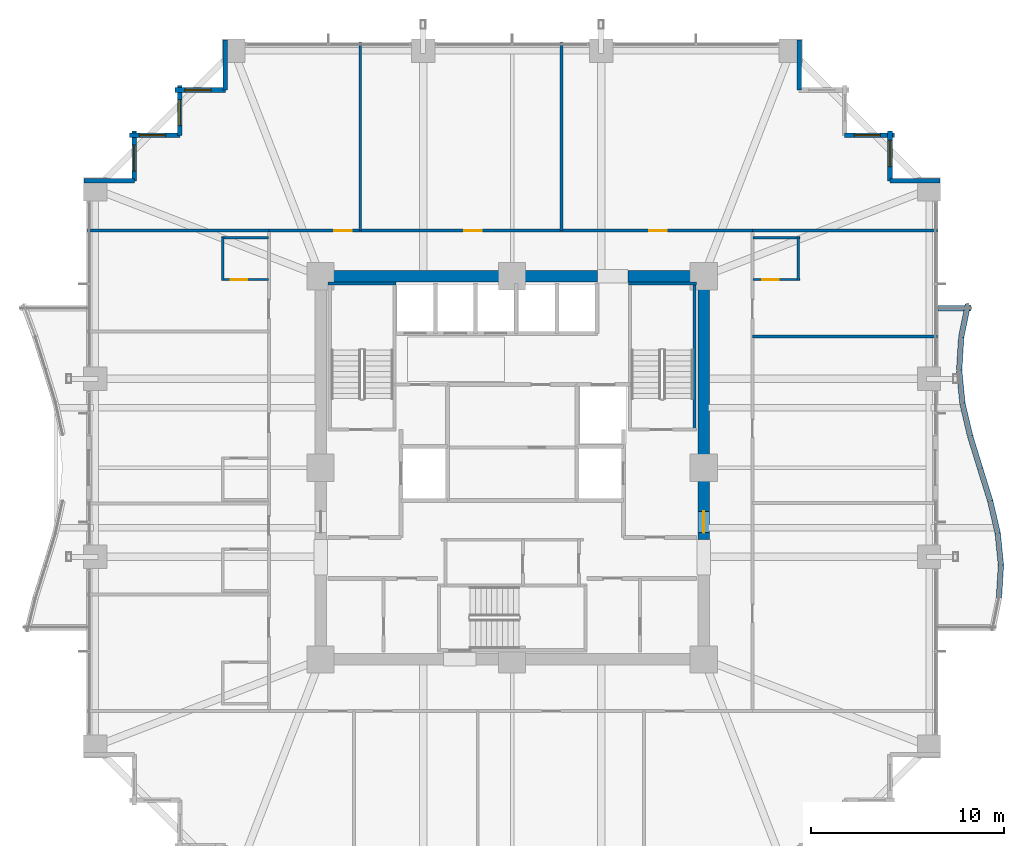
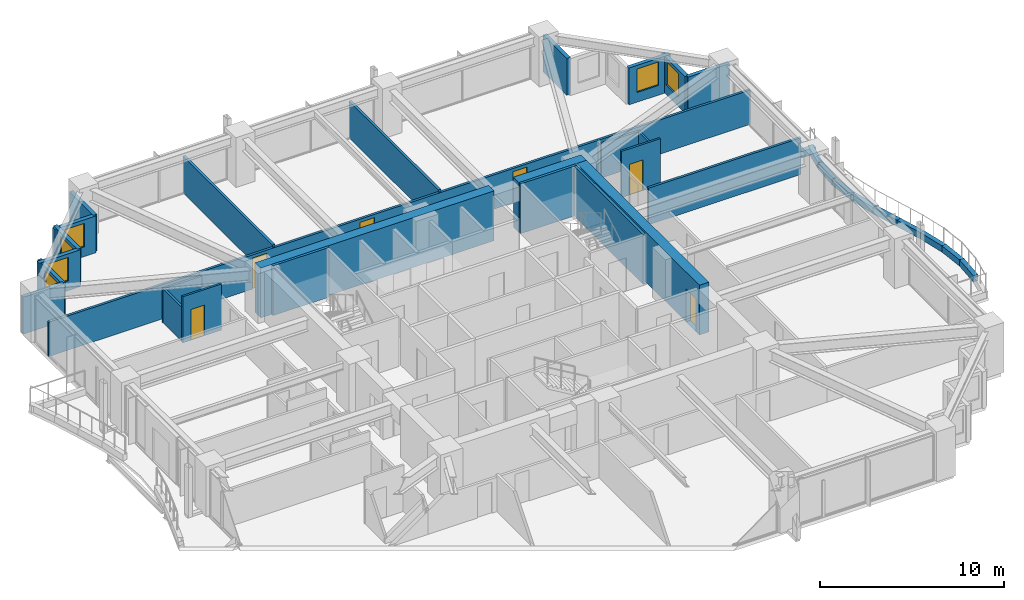
# One storey, part 33 of 36: 38 walls, 6 doors, 6 windows, 12 openings.
"""IFC4 building model written with IfcOpenShell, lengths in metres."""

import ifcopenshell
import ifcopenshell.guid

model = None  # the IFC model being written
_history = None  # IfcOwnerHistory: only IFC2X3 demands one
_inside = {}  # id of a spatial element -> (the spatial element, [elements in it])
_under = {}  # id of a project, library or spatial element -> (it, [spatial elements below it])
_declared = {}  # id of a project -> (the project, [libraries it declares])
_typed = {}  # id of a type object -> (the type object, [elements of that type])
_made_of = {}  # id of a material, layer set ... -> (it, [elements and type objects made of it])


def new_model(schema):
    """Start an empty IFC model of exactly this schema.

    Asked for "IFC4X3", IfcOpenShell would pick the latest addendum, in which some entities
    have other attributes; the version numbers below select the first issue.
    IFC2X3 requires an IfcOwnerHistory on every rooted entity: one is made here for all.
    """
    global model, _history
    if schema == "IFC4X3":
        model = ifcopenshell.file(schema_version=(4, 3, 0, 0))
    else:
        model = ifcopenshell.file(schema=schema)
    _inside.clear()
    _under.clear()
    _declared.clear()
    _typed.clear()
    _made_of.clear()
    _history = None
    if model.schema == "IFC2X3":
        org = make("IfcOrganization", Name="unknown")
        user = make(
            "IfcPersonAndOrganization",
            ThePerson=make("IfcPerson", FamilyName="unknown"),
            TheOrganization=org,
        )
        app = make(
            "IfcApplication",
            ApplicationDeveloper=org,
            Version="unknown",
            ApplicationFullName="unknown",
            ApplicationIdentifier="unknown",
        )
        _history = make(
            "IfcOwnerHistory",
            OwningUser=user,
            OwningApplication=app,
            ChangeAction="ADDED",
            CreationDate=0,
        )
    return model


def make(cls, **values):
    """One entity of the class cls with the attributes given. An attribute that is None is left unset."""
    return model.create_entity(
        cls, **{name: value for name, value in values.items() if value is not None}
    )


def rooted(cls, **values):
    """An entity with a GlobalId (a new one), such as an element, a storey or a relation."""
    return make(cls, GlobalId=ifcopenshell.guid.new(), OwnerHistory=_history, **values)


def si_unit(unit_type, name, prefix=None):
    """IfcSIUnit, for example si_unit("LENGTHUNIT", "METRE", prefix="MILLI")."""
    return make("IfcSIUnit", UnitType=unit_type, Prefix=prefix, Name=name)


def assignment(units):
    """IfcUnitAssignment: the units of a project."""
    return None if units is None else make("IfcUnitAssignment", Units=units)


def point(xyz):
    """IfcCartesianPoint."""
    return None if xyz is None else make("IfcCartesianPoint", Coordinates=xyz)


def direction(xyz):
    """IfcDirection."""
    return None if xyz is None else make("IfcDirection", DirectionRatios=xyz)


def frame(location, z_axis=None, x_axis=None):
    """IfcAxis2Placement3D, a coordinate frame: its origin and axes. An axis left out is left unset."""
    return make(
        "IfcAxis2Placement3D",
        Location=point(location),
        Axis=direction(z_axis),
        RefDirection=direction(x_axis),
    )


def frame_2d(location, x_axis=None):
    """IfcAxis2Placement2D, a coordinate frame in the plane: its origin and x axis."""
    return make(
        "IfcAxis2Placement2D", Location=point(location), RefDirection=direction(x_axis)
    )


def origin():
    """The frame at (0, 0, 0) with its axes left unset."""
    return frame((0.0, 0.0, 0.0))


def place(relative_to, where):
    """IfcLocalPlacement: puts the frame where relative to a parent placement (None: the world)."""
    return make(
        "IfcLocalPlacement", PlacementRelTo=relative_to, RelativePlacement=where
    )


def context(
    kind, dimensions, precision=None, world=None, true_north=None, identifier=None
):
    """IfcGeometricRepresentationContext, for example the 3D "Model" context."""
    return make(
        "IfcGeometricRepresentationContext",
        ContextIdentifier=identifier,
        ContextType=kind,
        CoordinateSpaceDimension=dimensions,
        Precision=precision,
        WorldCoordinateSystem=world,
        TrueNorth=true_north,
    )


def subcontext(parent, identifier, kind, view, scale=None):
    """IfcGeometricRepresentationSubContext, for example "Body" below "Model"."""
    return make(
        "IfcGeometricRepresentationSubContext",
        ContextIdentifier=identifier,
        ContextType=kind,
        ParentContext=parent,
        TargetScale=scale,
        TargetView=view,
    )


def project(units=None, contexts=None):
    """IfcProject with its units and contexts."""
    return rooted(
        "IfcProject",
        Name="project",
        RepresentationContexts=contexts,
        UnitsInContext=assignment(units),
    )


def spatial(cls, under=None, at=None, **own):
    """A site, building, storey or space (cls), placed at a placement, below another one or the project."""
    s = rooted(cls, ObjectPlacement=at, **own)
    if under is not None:
        _under.setdefault(under.id(), (under, []))[1].append(s)
    return s


def profile(cls, at=None, kind="AREA", **sizes):
    """A parametric profile (cls). Its sizes go by their IFC names, for example OverallWidth=200.0."""
    return make(cls, ProfileType=kind, Position=at, **sizes)


def rectangle(**sizes):
    """IfcRectangleProfileDef."""
    return profile("IfcRectangleProfileDef", **sizes)


def extrude(swept, where, along, depth):
    """IfcExtrudedAreaSolid: the profile swept, set in the frame where, extruded along a direction by depth."""
    return make(
        "IfcExtrudedAreaSolid",
        SweptArea=swept,
        Position=where,
        ExtrudedDirection=direction(along),
        Depth=depth,
    )


def shape(context_of_items, identifier, shape_type, items):
    """IfcShapeRepresentation: the items that make up one representation, for example the "Body"."""
    return make(
        "IfcShapeRepresentation",
        ContextOfItems=context_of_items,
        RepresentationIdentifier=identifier,
        RepresentationType=shape_type,
        Items=items,
    )


def material(Name=None, Category=None):
    """IfcMaterial."""
    return make("IfcMaterial", Name=Name, Category=Category)


def layer(
    of_material, thickness, ventilated=None, Name=None, Category=None, Priority=None
):
    """IfcMaterialLayer: one layer of a wall or slab, of a material (None: an air gap)."""
    return make(
        "IfcMaterialLayer",
        Material=of_material,
        LayerThickness=thickness,
        IsVentilated=ventilated,
        Name=Name,
        Category=Category,
        Priority=Priority,
    )


def layer_set(layers, Name=None):
    """IfcMaterialLayerSet."""
    return make("IfcMaterialLayerSet", MaterialLayers=layers, LayerSetName=Name)


def made_of(thing, what):
    """Note that an element or type object is made of a material, layer set ...; save() writes the relation."""
    if what is not None:
        _made_of.setdefault(what.id(), (what, []))[1].append(thing)
    return thing


def type_object(cls, material=None, **own):
    """A type object (cls), such as IfcWallType, which elements share."""
    return made_of(rooted(cls, **own), material)


def element(
    cls,
    number,
    at=None,
    inside=None,
    cuts=None,
    type_object=None,
    material=None,
    context=None,
    identifier="Body",
    shape_type=None,
    held_by="IfcProductDefinitionShape",
    body=None,
    shapes=None,
    **own,
):
    """One element of the class cls, such as IfcWall. Its Tag is "e" and its number.

    at: its placement. inside: the storey or other place that contains it. cuts: it is an
    opening in that element (IfcRelVoidsElement). A single representation is given by context,
    identifier, shape_type and body (its items); several are given by shapes. held_by: the class
    of the entity that holds the representations. save() writes the other relations.
    """
    e = rooted(cls, Tag="e%d" % number, ObjectPlacement=at, **own)
    if body is not None:
        shapes = [shape(context, identifier, shape_type, body)]
    if shapes is not None:
        e.Representation = make(held_by, Representations=shapes)
    if inside is not None:
        _inside.setdefault(inside.id(), (inside, []))[1].append(e)
    if cuts is not None:
        rooted(
            "IfcRelVoidsElement", RelatingBuildingElement=cuts, RelatedOpeningElement=e
        )
    if type_object is not None:
        _typed.setdefault(type_object.id(), (type_object, []))[1].append(e)
    return made_of(e, material)


def fill(opening, filler):
    """IfcRelFillsElement: the door or window that sits in an opening."""
    return rooted(
        "IfcRelFillsElement",
        RelatingOpeningElement=opening,
        RelatedBuildingElement=filler,
    )


def aggregate(whole, parts):
    """IfcRelAggregates: a whole, such as a stair, and the parts it consists of."""
    return rooted("IfcRelAggregates", RelatingObject=whole, RelatedObjects=parts)


def save(model, path):
    """Write the relations noted so far, then the file.

    IfcRelAggregates (storeys below a building ...), IfcRelContainedInSpatialStructure (elements
    in a storey), IfcRelDefinesByType, IfcRelAssociatesMaterial and IfcRelDeclares: one each for
    every whole, place, type object, material and project.
    """
    for whole, parts in _under.values():
        aggregate(whole, parts)
    for where, things in _inside.values():
        rooted(
            "IfcRelContainedInSpatialStructure",
            RelatedElements=things,
            RelatingStructure=where,
        )
    for kind, things in _typed.values():
        rooted("IfcRelDefinesByType", RelatedObjects=things, RelatingType=kind)
    for what, things in _made_of.values():
        rooted("IfcRelAssociatesMaterial", RelatedObjects=things, RelatingMaterial=what)
    for by, libraries in _declared.values():
        rooted("IfcRelDeclares", RelatingContext=by, RelatedDefinitions=libraries)
    model.write(path)


model = new_model("IFC4")

# Units and contexts
model_context = context("Model", 3, precision=1e-05, world=origin(), true_north=direction((0.0, 1.0)))
body_context = subcontext(model_context, "Body", "Model", "MODEL_VIEW")
ifc_project = project(units=[si_unit("LENGTHUNIT", "METRE"), si_unit("AREAUNIT", "SQUARE_METRE"), si_unit("VOLUMEUNIT", "CUBIC_METRE"), si_unit("PLANEANGLEUNIT", "RADIAN"), si_unit("MASSUNIT", "GRAM", prefix="KILO")], contexts=[model_context])

# Site, building, storey
site_placement = place(None, origin())
site = spatial("IfcSite", under=ifc_project, at=site_placement, CompositionType="ELEMENT")
building_placement = place(site_placement, origin())
building = spatial("IfcBuilding", under=site, at=building_placement, Name="Kolvaren Belvedere", CompositionType="ELEMENT")
storey_placement = place(building_placement, frame((0.0, 0.0, 46.89990234375)))
storey = spatial("IfcBuildingStorey", under=building, at=storey_placement, Name="L13", CompositionType="ELEMENT", Elevation=46.89990234375)

# Walls
ifc_material_1 = material(Name="Concrete C60/75", Category="concrete")
ifc_layer_1 = layer(ifc_material_1, 0.60009765625)
ifc_layer_set_1 = layer_set([ifc_layer_1], Name="Concrete C60/75")
wall_type_1 = type_object("IfcWallType", Name="CW-CORE-600", PredefinedType="SHEAR", material=ifc_layer_set_1)
wall_1_placement = place(storey_placement, frame((-10.199951171875, 9.89990234375, 0.0), z_axis=(0.0, 0.0, 1.0), x_axis=(1.0, 0.0, 0.0)))
element("IfcWall", 1, at=wall_1_placement, inside=storey, type_object=wall_type_1, Name="L13 North Core Shear Wall 1", PredefinedType="SHEAR", context=body_context, shape_type="SweptSolid", body=[
    extrude(rectangle(XDim=14.619873046875, YDim=0.60009765625, at=frame_2d((7.31005859375, 0.0))), origin(), (0.0, 0.0, 1.0), 3.300048828125),
])
wall_2_placement = place(storey_placement, frame((5.97998046875, 9.89990234375, 0.0), z_axis=(0.0, 0.0, 1.0), x_axis=(1.0, 0.0, 0.0)))
element("IfcWall", 2, at=wall_2_placement, inside=storey, type_object=wall_type_1, Name="L13 North Core Shear Wall 2", PredefinedType="SHEAR", context=body_context, shape_type="SweptSolid", body=[
    extrude(rectangle(XDim=4.219970703125, YDim=0.60009765625, at=frame_2d((2.10986328125, 0.0))), origin(), (0.0, 0.0, 1.0), 3.300048828125),
])

# Wall, opening, door
wall_3_placement = place(storey_placement, frame((9.89990234375, -3.699951171875, 0.0), z_axis=(0.0, 0.0, 1.0), x_axis=(0.0, 1.0, 0.0)))
wall_3 = element("IfcWall", 3, at=wall_3_placement, inside=storey, type_object=wall_type_1, Name="L13 East Core Shear Wall 2", PredefinedType="SHEAR", context=body_context, shape_type="SweptSolid", body=[
    extrude(rectangle(XDim=13.300048828125, YDim=0.60009765625, at=frame_2d((6.64990234375, 0.0))), origin(), (0.0, 0.0, 1.0), 3.300048828125),
])
opening_1_placement = place(wall_3_placement, frame((0.35009765625, 0.0, 0.0)))
opening_1 = element("IfcOpeningElement", 4, at=opening_1_placement, cuts=wall_3, Name="Opening D-FD90", PredefinedType="OPENING", context=body_context, shape_type="SweptSolid", body=[
    extrude(rectangle(XDim=1.10009765625, YDim=2.199951171875, at=frame_2d((0.550048828125, 1.10009765625))), frame((0.0, 0.31005859375, 0.0), z_axis=(0.0, -1.0, 0.0), x_axis=(1.0, 0.0, 0.0)), (0.0, 0.0, 1.0), 0.6201171875),
])
ifc_material_2 = material(Name="Painted hollow stainless steel", Category="steel")
door_type_1 = type_object("IfcDoorType", Name="DR-FD90-1100", OperationType="NOTDEFINED", PredefinedType="DOOR", material=ifc_material_2)
door_1_placement = place(opening_1_placement, origin())
door_1 = element("IfcDoor", 5, at=door_1_placement, inside=storey, type_object=door_type_1, Name="L13 East Firefighting Lobby Fire Door", OperationType="SINGLE_SWING_RIGHT", OverallHeight=2.199951171875, OverallWidth=1.10009765625, PredefinedType="DOOR", context=body_context, shape_type="SweptSolid", body=[
    extrude(rectangle(XDim=1.10009765625, YDim=2.199951171875, at=frame_2d((0.550048828125, 1.10009765625))), frame((0.0, 0.02490234375, 0.0), z_axis=(0.0, -1.0, 0.0), x_axis=(1.0, 0.0, 0.0)), (0.0, 0.0, 1.0), 0.050048828125),
])
fill(opening_1, door_1)

# Walls
ifc_material_3 = material(Name="Concrete C50/60", Category="concrete")
ifc_layer_2 = layer(ifc_material_3, 0.159912109375)
ifc_layer_set_2 = layer_set([ifc_layer_2], Name="Concrete C50/60")
wall_type_2 = type_object("IfcWallType", Name="CW-STAIR-160", PredefinedType="SHEAR", material=ifc_layer_set_2)
for number, where, z_axis, x_axis, name in (
    (6, (-9.52001953125, 9.530029296875, 0.0), (0.0, 0.0, 1.0), (1.0, 0.0, 0.0), "L13 Stair ST-1 North Shear Wall"),
    (7, (6.0, 9.530029296875, 0.0), (0.0, 0.0, 1.0), (1.0, 0.0, 0.0), "L13 Stair ST-2 North Shear Wall"),
):
    element("IfcWall", number, at=place(storey_placement, frame(where, z_axis=z_axis, x_axis=x_axis)), inside=storey, type_object=wall_type_2, Name=name, PredefinedType="SHEAR", context=body_context, shape_type="SweptSolid", body=[
        extrude(rectangle(XDim=3.52001953125, YDim=0.159912109375, at=frame_2d((1.760009765625, 0.0))), origin(), (0.0, 0.0, 1.0), 3.300048828125),
    ])
wall_4_placement = place(storey_placement, frame((9.429931640625, 1.969970703125, 0.0), z_axis=(0.0, 0.0, 1.0), x_axis=(0.0, 1.0, 0.0)))
element("IfcWall", 8, at=wall_4_placement, inside=storey, type_object=wall_type_2, Name="L13 Stair ST-2 East Shear Wall", PredefinedType="SHEAR", context=body_context, shape_type="SweptSolid", body=[
    extrude(rectangle(XDim=7.56005859375, YDim=0.159912109375, at=frame_2d((3.780029296875, 0.0))), origin(), (0.0, 0.0, 1.0), 3.300048828125),
])

# Wall, openings, doors
ifc_material_4 = material(Name="Gypsum fire-rated partition assembly", Category="gypsum")
ifc_layer_3 = layer(ifc_material_4, 0.14990234375)
ifc_layer_set_3 = layer_set([ifc_layer_3], Name="Gypsum fire-rated partition assembly")
wall_type_3 = type_object("IfcWallType", Name="WL-CORR-150", PredefinedType="PARTITIONING", material=ifc_layer_set_3)
wall_5_placement = place(storey_placement, frame((-12.580078125, 12.260009765625, 0.0), z_axis=(0.0, 0.0, 1.0), x_axis=(1.0, 0.0, 0.0)))
wall_5 = element("IfcWall", 9, at=wall_5_placement, inside=storey, type_object=wall_type_3, Name="L13 North Corridor Wall", PredefinedType="PARTITIONING", context=body_context, shape_type="SweptSolid", body=[
    extrude(rectangle(XDim=25.0, YDim=0.14990234375, at=frame_2d((12.5, 0.0))), origin(), (0.0, 0.0, 1.0), 2.272216796875),
])
opening_2_placement = place(wall_5_placement, frame((3.37890625, 0.0, 0.0)))
opening_2 = element("IfcOpeningElement", 10, at=opening_2_placement, cuts=wall_5, Name="Opening D-INT90", PredefinedType="OPENING", context=body_context, shape_type="SweptSolid", body=[
    extrude(rectangle(XDim=0.89990234375, YDim=2.06005859375, at=frame_2d((0.449951171875, 1.030029296875))), frame((0.0, 0.0849609375, 0.0), z_axis=(0.0, -1.0, 0.0), x_axis=(1.0, 0.0, 0.0)), (0.0, 0.0, 1.0), 0.169921875),
])
opening_3_placement = place(wall_5_placement, frame((10.10009765625, 0.0, 0.0)))
opening_3 = element("IfcOpeningElement", 11, at=opening_3_placement, cuts=wall_5, Name="Opening D-INT90", PredefinedType="OPENING", context=body_context, shape_type="SweptSolid", body=[
    extrude(rectangle(XDim=0.89990234375, YDim=2.06005859375, at=frame_2d((0.449951171875, 1.030029296875))), frame((0.0, 0.0849609375, 0.0), z_axis=(0.0, -1.0, 0.0), x_axis=(1.0, 0.0, 0.0)), (0.0, 0.0, 1.0), 0.169921875),
])
opening_4_placement = place(wall_5_placement, frame((19.6650390625, 0.0, 0.0)))
opening_4 = element("IfcOpeningElement", 12, at=opening_4_placement, cuts=wall_5, Name="Opening D-INT90", PredefinedType="OPENING", context=body_context, shape_type="SweptSolid", body=[
    extrude(rectangle(XDim=0.89990234375, YDim=2.06005859375, at=frame_2d((0.449951171875, 1.030029296875))), frame((0.0, 0.0849609375, 0.0), z_axis=(0.0, -1.0, 0.0), x_axis=(1.0, 0.0, 0.0)), (0.0, 0.0, 1.0), 0.169921875),
])
ifc_material_5 = material(Name="Stained Pacific white oak", Category="timber")
door_type_2 = type_object("IfcDoorType", Name="DR-INT-900", OperationType="NOTDEFINED", PredefinedType="DOOR", material=ifc_material_5)
door_2_placement = place(opening_2_placement, origin())
door_2 = element("IfcDoor", 13, at=door_2_placement, inside=storey, type_object=door_type_2, Name="L13 Lounge 1312 Door", OperationType="SINGLE_SWING_LEFT", OverallHeight=2.06005859375, OverallWidth=0.89990234375, PredefinedType="DOOR", context=body_context, shape_type="SweptSolid", body=[
    extrude(rectangle(XDim=0.89990234375, YDim=2.06005859375, at=frame_2d((0.449951171875, 1.030029296875))), frame((0.0, 0.02490234375, 0.0), z_axis=(0.0, -1.0, 0.0), x_axis=(1.0, 0.0, 0.0)), (0.0, 0.0, 1.0), 0.050048828125),
])
fill(opening_2, door_2)
door_3_placement = place(opening_3_placement, origin())
door_3 = element("IfcDoor", 14, at=door_3_placement, inside=storey, type_object=door_type_2, Name="L13 Lounge 1313 Door", OperationType="SINGLE_SWING_RIGHT", OverallHeight=2.06005859375, OverallWidth=0.89990234375, PredefinedType="DOOR", context=body_context, shape_type="SweptSolid", body=[
    extrude(rectangle(XDim=0.89990234375, YDim=2.06005859375, at=frame_2d((0.449951171875, 1.030029296875))), frame((0.0, 0.02490234375, 0.0), z_axis=(0.0, -1.0, 0.0), x_axis=(1.0, 0.0, 0.0)), (0.0, 0.0, 1.0), 0.050048828125),
])
fill(opening_3, door_3)
door_4_placement = place(opening_4_placement, origin())
door_4 = element("IfcDoor", 15, at=door_4_placement, inside=storey, type_object=door_type_2, Name="L13 Lounge 1314 Door", OperationType="SINGLE_SWING_LEFT", OverallHeight=2.06005859375, OverallWidth=0.89990234375, PredefinedType="DOOR", context=body_context, shape_type="SweptSolid", body=[
    extrude(rectangle(XDim=0.89990234375, YDim=2.06005859375, at=frame_2d((0.449951171875, 1.030029296875))), frame((0.0, 0.02490234375, 0.0), z_axis=(0.0, -1.0, 0.0), x_axis=(1.0, 0.0, 0.0)), (0.0, 0.0, 1.0), 0.050048828125),
])
fill(opening_4, door_4)

# Wall
ifc_material_6 = material(Name="Insulated pale-metal facade wall assembly", Category="aluminium")
ifc_layer_4 = layer(ifc_material_6, 0.239990234375)
ifc_layer_set_4 = layer_set([ifc_layer_4], Name="Insulated pale-metal facade wall assembly")
wall_type_4 = type_object("IfcWallType", Name="WL-EXT-240", PredefinedType="STANDARD", material=ifc_layer_set_4)
wall_6_placement = place(storey_placement, frame((19.530029296875, 14.830078125, 0.0), z_axis=(0.0, 0.0, 1.0), x_axis=(1.0, 0.0, 0.0)))
element("IfcWall", 16, at=wall_6_placement, inside=storey, type_object=wall_type_4, Name="L13 Serrated Corner Facade Wall 9", PredefinedType="STANDARD", context=body_context, shape_type="SweptSolid", body=[
    extrude(rectangle(XDim=2.590087890625, YDim=0.239990234375, at=frame_2d((1.294921875, 0.0))), origin(), (0.0, 0.0, 1.0), 2.439208984375),
])

# Wall, opening, window
wall_7_placement = place(storey_placement, frame((19.530029296875, 17.419921875, 0.0), z_axis=(0.0, 0.0, 1.0), x_axis=(0.0, -1.0, 0.0)))
wall_7 = element("IfcWall", 17, at=wall_7_placement, inside=storey, type_object=wall_type_4, Name="L13 Serrated Corner Facade Wall 10", PredefinedType="STANDARD", context=body_context, shape_type="SweptSolid", body=[
    extrude(rectangle(XDim=2.58984375, YDim=0.239990234375, at=frame_2d((1.294921875, 0.0))), origin(), (0.0, 0.0, 1.0), 2.439208984375),
])
opening_5_placement = place(wall_7_placement, frame((0.5, 0.0, 0.64990234375)))
opening_5 = element("IfcOpeningElement", 18, at=opening_5_placement, cuts=wall_7, Name="Opening W-1350", PredefinedType="OPENING", context=body_context, shape_type="SweptSolid", body=[
    extrude(rectangle(XDim=1.35009765625, YDim=1.550048828125, at=frame_2d((0.675048828125, 0.77490234375))), frame((0.0, 0.1298828125, 0.0), z_axis=(0.0, -1.0, 0.0), x_axis=(1.0, 0.0, 0.0)), (0.0, 0.0, 1.0), 0.260009765625),
])
ifc_material_7 = material(Name="Low-iron triple insulated glass", Category="glass")
window_type = type_object("IfcWindowType", Name="WN-CORN-1350", PartitioningType="SINGLE_PANEL", PredefinedType="WINDOW", material=ifc_material_7)
window_1_placement = place(opening_5_placement, origin())
window_1 = element("IfcWindow", 19, at=window_1_placement, inside=storey, type_object=window_type, Name="L13 Serrated Corner Vision Window 10", OverallHeight=1.550048828125, OverallWidth=1.35009765625, PartitioningType="SINGLE_PANEL", PredefinedType="WINDOW", context=body_context, shape_type="SweptSolid", body=[
    extrude(rectangle(XDim=1.35009765625, YDim=1.550048828125, at=frame_2d((0.675048828125, 0.77490234375))), frame((0.0, 0.030029296875, 0.0), z_axis=(0.0, -1.0, 0.0), x_axis=(1.0, 0.0, 0.0)), (0.0, 0.0, 1.0), 0.06005859375),
])
fill(opening_5, window_1)

wall_8_placement = place(storey_placement, frame((17.179931640625, 17.179931640625, 0.0), z_axis=(0.0, 0.0, 1.0), x_axis=(1.0, 0.0, 0.0)))
wall_8 = element("IfcWall", 20, at=wall_8_placement, inside=storey, type_object=wall_type_4, Name="L13 Serrated Corner Facade Wall 11", PredefinedType="STANDARD", context=body_context, shape_type="SweptSolid", body=[
    extrude(rectangle(XDim=2.590087890625, YDim=0.239990234375, at=frame_2d((1.294921875, 0.0))), origin(), (0.0, 0.0, 1.0), 2.439208984375),
])
opening_6_placement = place(wall_8_placement, frame((0.5, 0.0, 0.64990234375)))
opening_6 = element("IfcOpeningElement", 21, at=opening_6_placement, cuts=wall_8, Name="Opening W-1350", PredefinedType="OPENING", context=body_context, shape_type="SweptSolid", body=[
    extrude(rectangle(XDim=1.35009765625, YDim=1.550048828125, at=frame_2d((0.675048828125, 0.77490234375))), frame((0.0, 0.1298828125, 0.0), z_axis=(0.0, -1.0, 0.0), x_axis=(1.0, 0.0, 0.0)), (0.0, 0.0, 1.0), 0.260009765625),
])
window_2_placement = place(opening_6_placement, origin())
window_2 = element("IfcWindow", 22, at=window_2_placement, inside=storey, type_object=window_type, Name="L13 Serrated Corner Vision Window 11", OverallHeight=1.550048828125, OverallWidth=1.35009765625, PartitioningType="SINGLE_PANEL", PredefinedType="WINDOW", context=body_context, shape_type="SweptSolid", body=[
    extrude(rectangle(XDim=1.35009765625, YDim=1.550048828125, at=frame_2d((0.675048828125, 0.77490234375))), frame((0.0, 0.030029296875, 0.0), z_axis=(0.0, -1.0, 0.0), x_axis=(1.0, 0.0, 0.0)), (0.0, 0.0, 1.0), 0.06005859375),
])
fill(opening_6, window_2)

# Walls
for number, where, z_axis, x_axis, name in (
    (23, (14.830078125, 22.1201171875, 0.0), (0.0, 0.0, 1.0), (0.0, -1.0, 0.0), "L13 Serrated Corner Facade Wall 14"),
    (24, (-14.830078125, 19.530029296875, 0.0), (0.0, 0.0, 1.0), (0.0, 1.0, 0.0), "L13 Serrated Corner Facade Wall 16"),
):
    element("IfcWall", number, at=place(storey_placement, frame(where, z_axis=z_axis, x_axis=x_axis)), inside=storey, type_object=wall_type_4, Name=name, PredefinedType="STANDARD", context=body_context, shape_type="SweptSolid", body=[
        extrude(rectangle(XDim=2.590087890625, YDim=0.239990234375, at=frame_2d((1.294921875, 0.0))), origin(), (0.0, 0.0, 1.0), 2.439208984375),
    ])

# Wall, opening, window
wall_9_placement = place(storey_placement, frame((-17.419921875, 19.530029296875, 0.0), z_axis=(0.0, 0.0, 1.0), x_axis=(1.0, 0.0, 0.0)))
wall_9 = element("IfcWall", 25, at=wall_9_placement, inside=storey, type_object=wall_type_4, Name="L13 Serrated Corner Facade Wall 17", PredefinedType="STANDARD", context=body_context, shape_type="SweptSolid", body=[
    extrude(rectangle(XDim=2.58984375, YDim=0.239990234375, at=frame_2d((1.294921875, 0.0))), origin(), (0.0, 0.0, 1.0), 2.439208984375),
])
opening_7_placement = place(wall_9_placement, frame((0.5, 0.0, 0.64990234375)))
opening_7 = element("IfcOpeningElement", 26, at=opening_7_placement, cuts=wall_9, Name="Opening W-1350", PredefinedType="OPENING", context=body_context, shape_type="SweptSolid", body=[
    extrude(rectangle(XDim=1.35009765625, YDim=1.550048828125, at=frame_2d((0.675048828125, 0.77490234375))), frame((0.0, 0.1298828125, 0.0), z_axis=(0.0, -1.0, 0.0), x_axis=(1.0, 0.0, 0.0)), (0.0, 0.0, 1.0), 0.260009765625),
])
window_3_placement = place(opening_7_placement, origin())
window_3 = element("IfcWindow", 27, at=window_3_placement, inside=storey, type_object=window_type, Name="L13 Serrated Corner Vision Window 17", OverallHeight=1.550048828125, OverallWidth=1.35009765625, PartitioningType="SINGLE_PANEL", PredefinedType="WINDOW", context=body_context, shape_type="SweptSolid", body=[
    extrude(rectangle(XDim=1.35009765625, YDim=1.550048828125, at=frame_2d((0.675048828125, 0.77490234375))), frame((0.0, 0.030029296875, 0.0), z_axis=(0.0, -1.0, 0.0), x_axis=(1.0, 0.0, 0.0)), (0.0, 0.0, 1.0), 0.06005859375),
])
fill(opening_7, window_3)

wall_10_placement = place(storey_placement, frame((-17.179931640625, 17.179931640625, 0.0), z_axis=(0.0, 0.0, 1.0), x_axis=(0.0, 1.0, 0.0)))
wall_10 = element("IfcWall", 28, at=wall_10_placement, inside=storey, type_object=wall_type_4, Name="L13 Serrated Corner Facade Wall 18", PredefinedType="STANDARD", context=body_context, shape_type="SweptSolid", body=[
    extrude(rectangle(XDim=2.590087890625, YDim=0.239990234375, at=frame_2d((1.294921875, 0.0))), origin(), (0.0, 0.0, 1.0), 2.439208984375),
])
opening_8_placement = place(wall_10_placement, frame((0.5, 0.0, 0.64990234375)))
opening_8 = element("IfcOpeningElement", 29, at=opening_8_placement, cuts=wall_10, Name="Opening W-1350", PredefinedType="OPENING", context=body_context, shape_type="SweptSolid", body=[
    extrude(rectangle(XDim=1.35009765625, YDim=1.550048828125, at=frame_2d((0.675048828125, 0.77490234375))), frame((0.0, 0.1298828125, 0.0), z_axis=(0.0, -1.0, 0.0), x_axis=(1.0, 0.0, 0.0)), (0.0, 0.0, 1.0), 0.260009765625),
])
window_4_placement = place(opening_8_placement, origin())
window_4 = element("IfcWindow", 30, at=window_4_placement, inside=storey, type_object=window_type, Name="L13 Serrated Corner Vision Window 18", OverallHeight=1.550048828125, OverallWidth=1.35009765625, PartitioningType="SINGLE_PANEL", PredefinedType="WINDOW", context=body_context, shape_type="SweptSolid", body=[
    extrude(rectangle(XDim=1.35009765625, YDim=1.550048828125, at=frame_2d((0.675048828125, 0.77490234375))), frame((0.0, 0.030029296875, 0.0), z_axis=(0.0, -1.0, 0.0), x_axis=(1.0, 0.0, 0.0)), (0.0, 0.0, 1.0), 0.06005859375),
])
fill(opening_8, window_4)

wall_11_placement = place(storey_placement, frame((-19.77001953125, 17.179931640625, 0.0), z_axis=(0.0, 0.0, 1.0), x_axis=(1.0, 0.0, 0.0)))
wall_11 = element("IfcWall", 31, at=wall_11_placement, inside=storey, type_object=wall_type_4, Name="L13 Serrated Corner Facade Wall 19", PredefinedType="STANDARD", context=body_context, shape_type="SweptSolid", body=[
    extrude(rectangle(XDim=2.590087890625, YDim=0.239990234375, at=frame_2d((1.294921875, 0.0))), origin(), (0.0, 0.0, 1.0), 2.439208984375),
])
opening_9_placement = place(wall_11_placement, frame((0.5, 0.0, 0.64990234375)))
opening_9 = element("IfcOpeningElement", 32, at=opening_9_placement, cuts=wall_11, Name="Opening W-1350", PredefinedType="OPENING", context=body_context, shape_type="SweptSolid", body=[
    extrude(rectangle(XDim=1.35009765625, YDim=1.550048828125, at=frame_2d((0.675048828125, 0.77490234375))), frame((0.0, 0.1298828125, 0.0), z_axis=(0.0, -1.0, 0.0), x_axis=(1.0, 0.0, 0.0)), (0.0, 0.0, 1.0), 0.260009765625),
])
window_5_placement = place(opening_9_placement, origin())
window_5 = element("IfcWindow", 33, at=window_5_placement, inside=storey, type_object=window_type, Name="L13 Serrated Corner Vision Window 19", OverallHeight=1.550048828125, OverallWidth=1.35009765625, PartitioningType="SINGLE_PANEL", PredefinedType="WINDOW", context=body_context, shape_type="SweptSolid", body=[
    extrude(rectangle(XDim=1.35009765625, YDim=1.550048828125, at=frame_2d((0.675048828125, 0.77490234375))), frame((0.0, 0.030029296875, 0.0), z_axis=(0.0, -1.0, 0.0), x_axis=(1.0, 0.0, 0.0)), (0.0, 0.0, 1.0), 0.06005859375),
])
fill(opening_9, window_5)

wall_12_placement = place(storey_placement, frame((-19.530029296875, 14.830078125, 0.0), z_axis=(0.0, 0.0, 1.0), x_axis=(0.0, 1.0, 0.0)))
wall_12 = element("IfcWall", 34, at=wall_12_placement, inside=storey, type_object=wall_type_4, Name="L13 Serrated Corner Facade Wall 20", PredefinedType="STANDARD", context=body_context, shape_type="SweptSolid", body=[
    extrude(rectangle(XDim=2.58984375, YDim=0.239990234375, at=frame_2d((1.294921875, 0.0))), origin(), (0.0, 0.0, 1.0), 2.439208984375),
])
opening_10_placement = place(wall_12_placement, frame((0.5, 0.0, 0.64990234375)))
opening_10 = element("IfcOpeningElement", 35, at=opening_10_placement, cuts=wall_12, Name="Opening W-1350", PredefinedType="OPENING", context=body_context, shape_type="SweptSolid", body=[
    extrude(rectangle(XDim=1.35009765625, YDim=1.550048828125, at=frame_2d((0.675048828125, 0.77490234375))), frame((0.0, 0.1298828125, 0.0), z_axis=(0.0, -1.0, 0.0), x_axis=(1.0, 0.0, 0.0)), (0.0, 0.0, 1.0), 0.260009765625),
])
window_6_placement = place(opening_10_placement, origin())
window_6 = element("IfcWindow", 36, at=window_6_placement, inside=storey, type_object=window_type, Name="L13 Serrated Corner Vision Window 20", OverallHeight=1.550048828125, OverallWidth=1.35009765625, PartitioningType="SINGLE_PANEL", PredefinedType="WINDOW", context=body_context, shape_type="SweptSolid", body=[
    extrude(rectangle(XDim=1.35009765625, YDim=1.550048828125, at=frame_2d((0.675048828125, 0.77490234375))), frame((0.0, 0.030029296875, 0.0), z_axis=(0.0, -1.0, 0.0), x_axis=(1.0, 0.0, 0.0)), (0.0, 0.0, 1.0), 0.06005859375),
])
fill(opening_10, window_6)

# Walls
wall_13_placement = place(storey_placement, frame((-22.1201171875, 14.830078125, 0.0), z_axis=(0.0, 0.0, 1.0), x_axis=(1.0, 0.0, 0.0)))
element("IfcWall", 37, at=wall_13_placement, inside=storey, type_object=wall_type_4, Name="L13 Serrated Corner Facade Wall 21", PredefinedType="STANDARD", context=body_context, shape_type="SweptSolid", body=[
    extrude(rectangle(XDim=2.590087890625, YDim=0.239990234375, at=frame_2d((1.294921875, 0.0))), origin(), (0.0, 0.0, 1.0), 2.439208984375),
])
ifc_material_8 = material(Name="Gypsum acoustic partition assembly", Category="gypsum")
ifc_layer_5 = layer(ifc_material_8, 0.14990234375)
ifc_layer_set_5 = layer_set([ifc_layer_5], Name="Gypsum acoustic partition assembly")
wall_type_5 = type_object("IfcWallType", Name="WL-PART-150", PredefinedType="PARTITIONING", material=ifc_layer_set_5)
wall_14_placement = place(storey_placement, frame((-21.97998046875, 12.260009765625, 0.0), z_axis=(0.0, 0.0, 1.0), x_axis=(1.0, 0.0, 0.0)))
element("IfcWall", 38, at=wall_14_placement, inside=storey, type_object=wall_type_5, Name="L13 Wing Divider PW-L13-QNW", PredefinedType="PARTITIONING", context=body_context, shape_type="SweptSolid", body=[
    extrude(rectangle(XDim=9.39990234375, YDim=0.14990234375, at=frame_2d((4.699951171875, 0.0))), origin(), (0.0, 0.0, 1.0), 2.272216796875),
])
wall_15_placement = place(storey_placement, frame((12.419921875, 12.260009765625, 0.0), z_axis=(0.0, 0.0, 1.0), x_axis=(1.0, 0.0, 0.0)))
element("IfcWall", 39, at=wall_15_placement, inside=storey, type_object=wall_type_5, Name="L13 Wing Divider PW-L13-QNE", PredefinedType="PARTITIONING", context=body_context, shape_type="SweptSolid", body=[
    extrude(rectangle(XDim=9.56005859375, YDim=0.14990234375, at=frame_2d((4.780029296875, 0.0))), origin(), (0.0, 0.0, 1.0), 2.272216796875),
])
wall_16_placement = place(storey_placement, frame((12.419921875, 6.780029296875, 0.0), z_axis=(0.0, 0.0, 1.0), x_axis=(1.0, 0.0, 0.0)))
element("IfcWall", 40, at=wall_16_placement, inside=storey, type_object=wall_type_5, Name="L13 East Suite Demising Wall 2", PredefinedType="PARTITIONING", context=body_context, shape_type="SweptSolid", body=[
    extrude(rectangle(XDim=9.56005859375, YDim=0.14990234375, at=frame_2d((4.780029296875, 0.0))), origin(), (0.0, 0.0, 1.0), 2.42919921875),
])
for number, where, z_axis, x_axis, name in (
    (41, (-7.85205078125, 12.260009765625, 0.0), (0.0, 0.0, 1.0), (0.0, 1.0, 0.0), "L13 North Suite Demising Wall 1"),
    (42, (2.548095703125, 12.260009765625, 0.0), (0.0, 0.0, 1.0), (0.0, 1.0, 0.0), "L13 North Suite Demising Wall 2"),
):
    element("IfcWall", number, at=place(storey_placement, frame(where, z_axis=z_axis, x_axis=x_axis)), inside=storey, type_object=wall_type_5, Name=name, PredefinedType="PARTITIONING", context=body_context, shape_type="SweptSolid", body=[
        extrude(rectangle(XDim=9.719970703125, YDim=0.14990234375, at=frame_2d((4.85986328125, 0.0))), origin(), (0.0, 0.0, 1.0), 2.42919921875),
    ])
ifc_material_9 = material(Name="Precast concrete C40/50", Category="concrete")
ifc_layer_6 = layer(ifc_material_9, 0.300048828125)
ifc_layer_set_6 = layer_set([ifc_layer_6], Name="Precast concrete C40/50")
wall_type_6 = type_object("IfcWallType", Name="WL-PLANTER-300", PredefinedType="PARAPET", material=ifc_layer_set_6)
wall_17_placement = place(storey_placement, frame((25.157470703125, -6.710205078125, -0.059814453125), z_axis=(0.0, 0.0, 1.0), x_axis=(0.061068773295, 0.998133560666, 0.0)))
element("IfcWall", 43, at=wall_17_placement, inside=storey, type_object=wall_type_6, Name="L13 Precast Structural Planter Wall BAL-E-2", PredefinedType="PARAPET", context=body_context, shape_type="SweptSolid", body=[
    extrude(rectangle(XDim=1.68310546875, YDim=0.280029296875, at=frame_2d((0.841552734375, 0.0))), origin(), (0.0, 0.0, 1.0), 0.419921875),
])
wall_18_placement = place(storey_placement, frame((25.2607421875, -5.055908203125, -0.059814453125), z_axis=(0.0, 0.0, 1.0), x_axis=(-0.099489401517, 0.995038621856, 0.0)))
element("IfcWall", 44, at=wall_18_placement, inside=storey, type_object=wall_type_6, Name="L13 Precast Structural Planter Wall BAL-E-3", PredefinedType="PARAPET", context=body_context, shape_type="SweptSolid", body=[
    extrude(rectangle(XDim=1.688232421875, YDim=0.280029296875, at=frame_2d((0.84423828125, 0.0))), origin(), (0.0, 0.0, 1.0), 0.419921875),
])
wall_19_placement = place(storey_placement, frame((25.09619140625, -3.396240234375, -0.059814453125), z_axis=(0.0, 0.0, 1.0), x_axis=(-0.227019323824, 0.973890253884, 0.0)))
element("IfcWall", 45, at=wall_19_placement, inside=storey, type_object=wall_type_6, Name="L13 Precast Structural Planter Wall BAL-E-4", PredefinedType="PARAPET", context=body_context, shape_type="SweptSolid", body=[
    extrude(rectangle(XDim=1.724853515625, YDim=0.280029296875, at=frame_2d((0.8623046875, 0.0))), origin(), (0.0, 0.0, 1.0), 0.419921875),
])
wall_20_placement = place(storey_placement, frame((24.70751953125, -1.727294921875, -0.059814453125), z_axis=(0.0, 0.0, 1.0), x_axis=(-0.295831524561, 0.95524013163, 0.0)))
element("IfcWall", 46, at=wall_20_placement, inside=storey, type_object=wall_type_6, Name="L13 Precast Structural Planter Wall BAL-E-5", PredefinedType="PARAPET", context=body_context, shape_type="SweptSolid", body=[
    extrude(rectangle(XDim=1.758544921875, YDim=0.280029296875, at=frame_2d((0.87939453125, 0.0))), origin(), (0.0, 0.0, 1.0), 0.419921875),
])
wall_21_placement = place(storey_placement, frame((24.187255859375, -0.04736328125, -0.059814453125), z_axis=(0.0, 0.0, 1.0), x_axis=(-0.29579229954, 0.955252278476, 0.0)))
element("IfcWall", 47, at=wall_21_placement, inside=storey, type_object=wall_type_6, Name="L13 Precast Structural Planter Wall BAL-E-6", PredefinedType="PARAPET", context=body_context, shape_type="SweptSolid", body=[
    extrude(rectangle(XDim=1.7587890625, YDim=0.280029296875, at=frame_2d((0.87939453125, 0.0))), origin(), (0.0, 0.0, 1.0), 0.419921875),
])
wall_22_placement = place(storey_placement, frame((23.663818359375, 1.643798828125, -0.059814453125), z_axis=(0.0, 0.0, 1.0), x_axis=(-0.227019323824, 0.973890253884, 0.0)))
element("IfcWall", 48, at=wall_22_placement, inside=storey, type_object=wall_type_6, Name="L13 Precast Structural Planter Wall BAL-E-7", PredefinedType="PARAPET", context=body_context, shape_type="SweptSolid", body=[
    extrude(rectangle(XDim=1.724853515625, YDim=0.280029296875, at=frame_2d((0.8623046875, 0.0))), origin(), (0.0, 0.0, 1.0), 0.419921875),
])
wall_23_placement = place(storey_placement, frame((23.268798828125, 3.34423828125, -0.059814453125), z_axis=(0.0, 0.0, 1.0), x_axis=(-0.098329649867, 0.995153897624, 0.0)))
element("IfcWall", 49, at=wall_23_placement, inside=storey, type_object=wall_type_6, Name="L13 Precast Structural Planter Wall BAL-E-8", PredefinedType="PARAPET", context=body_context, shape_type="SweptSolid", body=[
    extrude(rectangle(XDim=1.6884765625, YDim=0.280029296875, at=frame_2d((0.84423828125, 0.0))), origin(), (0.0, 0.0, 1.0), 0.419921875),
])
wall_24_placement = place(storey_placement, frame((23.102294921875, 5.049560546875, -0.059814453125), z_axis=(0.0, 0.0, 1.0), x_axis=(0.059912527196, 0.998203631072, 0.0)))
element("IfcWall", 50, at=wall_24_placement, inside=storey, type_object=wall_type_6, Name="L13 Precast Structural Planter Wall BAL-E-9", PredefinedType="PARAPET", context=body_context, shape_type="SweptSolid", body=[
    extrude(rectangle(XDim=1.682861328125, YDim=0.280029296875, at=frame_2d((0.84130859375, 0.0))), origin(), (0.0, 0.0, 1.0), 0.419921875),
])
wall_25_placement = place(storey_placement, frame((23.2060546875, 6.751953125, -0.059814453125), z_axis=(0.0, 0.0, 1.0), x_axis=(0.199647526069, 0.979867779516, 0.0)))
element("IfcWall", 51, at=wall_25_placement, inside=storey, type_object=wall_type_6, Name="L13 Precast Structural Planter Wall BAL-E-10", PredefinedType="PARAPET", context=body_context, shape_type="SweptSolid", body=[
    extrude(rectangle(XDim=1.71435546875, YDim=0.280029296875, at=frame_2d((0.857177734375, 0.0))), origin(), (0.0, 0.0, 1.0), 0.419921875),
])
wall_26_placement = place(storey_placement, frame((23.705078125, 8.239990234375, -0.059814453125), z_axis=(0.0, 0.0, 1.0), x_axis=(-1.0, 0.0, 0.0)))
element("IfcWall", 52, at=wall_26_placement, inside=storey, type_object=wall_type_6, Name="L13 Precast Structural Planter Wall BAL-E-11", PredefinedType="PARAPET", context=body_context, shape_type="SweptSolid", body=[
    extrude(rectangle(XDim=1.705078125, YDim=0.280029296875, at=frame_2d((0.8525390625, 0.0))), origin(), (0.0, 0.0, 1.0), 0.419921875),
])

# Wall, opening, door
ifc_material_10 = material(Name="Moisture-resistant gypsum partition", Category="gypsum")
ifc_layer_7 = layer(ifc_material_10, 0.125)
ifc_layer_set_7 = layer_set([ifc_layer_7], Name="Moisture-resistant gypsum partition")
wall_type_7 = type_object("IfcWallType", Name="WL-WET-125", PredefinedType="PARTITIONING", material=ifc_layer_set_7)
wall_27_placement = place(storey_placement, frame((12.43505859375, 9.73095703125, 0.0), z_axis=(0.0, 0.0, 1.0), x_axis=(1.0, 0.0, 0.0)))
wall_27 = element("IfcWall", 53, at=wall_27_placement, inside=storey, type_object=wall_type_7, Name="L13 Bathroom Partition PW-L13-BTH-7-N", PredefinedType="PARTITIONING", context=body_context, shape_type="SweptSolid", body=[
    extrude(rectangle(XDim=2.43994140625, YDim=0.125, at=frame_2d((1.219970703125, 0.0))), origin(), (0.0, 0.0, 1.0), 3.06005859375),
])
opening_11_placement = place(wall_27_placement, frame((0.5, 0.0, 0.0)))
opening_11 = element("IfcOpeningElement", 54, at=opening_11_placement, cuts=wall_27, Name="Opening D-BTH85", PredefinedType="OPENING", context=body_context, shape_type="SweptSolid", body=[
    extrude(rectangle(XDim=0.85009765625, YDim=2.030029296875, at=frame_2d((0.425048828125, 1.01513671875))), frame((0.0, 0.072509765625, 0.0), z_axis=(0.0, -1.0, 0.0), x_axis=(1.0, 0.0, 0.0)), (0.0, 0.0, 1.0), 0.14501953125),
])
ifc_material_11 = material(Name="Moisture-sealed Pacific white oak", Category="timber")
door_type_3 = type_object("IfcDoorType", Name="DR-BATH-850", OperationType="NOTDEFINED", PredefinedType="DOOR", material=ifc_material_11)
door_5_placement = place(opening_11_placement, origin())
door_5 = element("IfcDoor", 55, at=door_5_placement, inside=storey, type_object=door_type_3, Name="L13 En-Suite Bathroom 1307 Door", OperationType="SINGLE_SWING_LEFT", OverallHeight=2.030029296875, OverallWidth=0.85009765625, PredefinedType="DOOR", context=body_context, shape_type="SweptSolid", body=[
    extrude(rectangle(XDim=0.85009765625, YDim=2.030029296875, at=frame_2d((0.425048828125, 1.01513671875))), frame((0.0, 0.02490234375, 0.0), z_axis=(0.0, -1.0, 0.0), x_axis=(1.0, 0.0, 0.0)), (0.0, 0.0, 1.0), 0.050048828125),
])
fill(opening_11, door_5)

# Walls
wall_28_placement = place(storey_placement, frame((14.794921875, 9.6708984375, 0.0), z_axis=(0.0, 0.0, 1.0), x_axis=(0.0, 1.0, 0.0)))
element("IfcWall", 56, at=wall_28_placement, inside=storey, type_object=wall_type_7, Name="L13 Bathroom Partition PW-L13-BTH-7-V", PredefinedType="PARTITIONING", context=body_context, shape_type="SweptSolid", body=[
    extrude(rectangle(XDim=2.27001953125, YDim=0.125, at=frame_2d((1.135009765625, 0.0))), origin(), (0.0, 0.0, 1.0), 2.272216796875),
])
wall_29_placement = place(storey_placement, frame((12.43505859375, 11.881103515625, 0.0), z_axis=(0.0, 0.0, 1.0), x_axis=(1.0, 0.0, 0.0)))
element("IfcWall", 57, at=wall_29_placement, inside=storey, type_object=wall_type_7, Name="L13 Bathroom Partition PW-L13-BTH-7-S", PredefinedType="PARTITIONING", context=body_context, shape_type="SweptSolid", body=[
    extrude(rectangle(XDim=2.43994140625, YDim=0.125, at=frame_2d((1.219970703125, 0.0))), origin(), (0.0, 0.0, 1.0), 2.272216796875),
])

# Wall, opening, door
wall_30_placement = place(storey_placement, frame((-15.034912109375, 9.73095703125, 0.0), z_axis=(0.0, 0.0, 1.0), x_axis=(1.0, 0.0, 0.0)))
wall_30 = element("IfcWall", 58, at=wall_30_placement, inside=storey, type_object=wall_type_7, Name="L13 Bathroom Partition PW-L13-BTH-11-N", PredefinedType="PARTITIONING", context=body_context, shape_type="SweptSolid", body=[
    extrude(rectangle(XDim=2.43994140625, YDim=0.125, at=frame_2d((1.219970703125, 0.0))), origin(), (0.0, 0.0, 1.0), 3.06005859375),
])
opening_12_placement = place(wall_30_placement, frame((0.5, 0.0, 0.0)))
opening_12 = element("IfcOpeningElement", 59, at=opening_12_placement, cuts=wall_30, Name="Opening D-BTH85", PredefinedType="OPENING", context=body_context, shape_type="SweptSolid", body=[
    extrude(rectangle(XDim=0.85009765625, YDim=2.030029296875, at=frame_2d((0.425048828125, 1.01513671875))), frame((0.0, 0.072509765625, 0.0), z_axis=(0.0, -1.0, 0.0), x_axis=(1.0, 0.0, 0.0)), (0.0, 0.0, 1.0), 0.14501953125),
])
door_6_placement = place(opening_12_placement, origin())
door_6 = element("IfcDoor", 60, at=door_6_placement, inside=storey, type_object=door_type_3, Name="L13 En-Suite Bathroom 1311 Door", OperationType="SINGLE_SWING_LEFT", OverallHeight=2.030029296875, OverallWidth=0.85009765625, PredefinedType="DOOR", context=body_context, shape_type="SweptSolid", body=[
    extrude(rectangle(XDim=0.85009765625, YDim=2.030029296875, at=frame_2d((0.425048828125, 1.01513671875))), frame((0.0, 0.02490234375, 0.0), z_axis=(0.0, -1.0, 0.0), x_axis=(1.0, 0.0, 0.0)), (0.0, 0.0, 1.0), 0.050048828125),
])
fill(opening_12, door_6)

# Walls
wall_31_placement = place(storey_placement, frame((-14.955078125, 9.6708984375, 0.0), z_axis=(0.0, 0.0, 1.0), x_axis=(0.0, 1.0, 0.0)))
element("IfcWall", 61, at=wall_31_placement, inside=storey, type_object=wall_type_7, Name="L13 Bathroom Partition PW-L13-BTH-11-V", PredefinedType="PARTITIONING", context=body_context, shape_type="SweptSolid", body=[
    extrude(rectangle(XDim=2.27001953125, YDim=0.125, at=frame_2d((1.135009765625, 0.0))), origin(), (0.0, 0.0, 1.0), 2.272216796875),
])
wall_32_placement = place(storey_placement, frame((-15.034912109375, 11.881103515625, 0.0), z_axis=(0.0, 0.0, 1.0), x_axis=(1.0, 0.0, 0.0)))
element("IfcWall", 62, at=wall_32_placement, inside=storey, type_object=wall_type_7, Name="L13 Bathroom Partition PW-L13-BTH-11-S", PredefinedType="PARTITIONING", context=body_context, shape_type="SweptSolid", body=[
    extrude(rectangle(XDim=2.43994140625, YDim=0.125, at=frame_2d((1.219970703125, 0.0))), origin(), (0.0, 0.0, 1.0), 2.272216796875),
])

save(model, "model.ifc")
